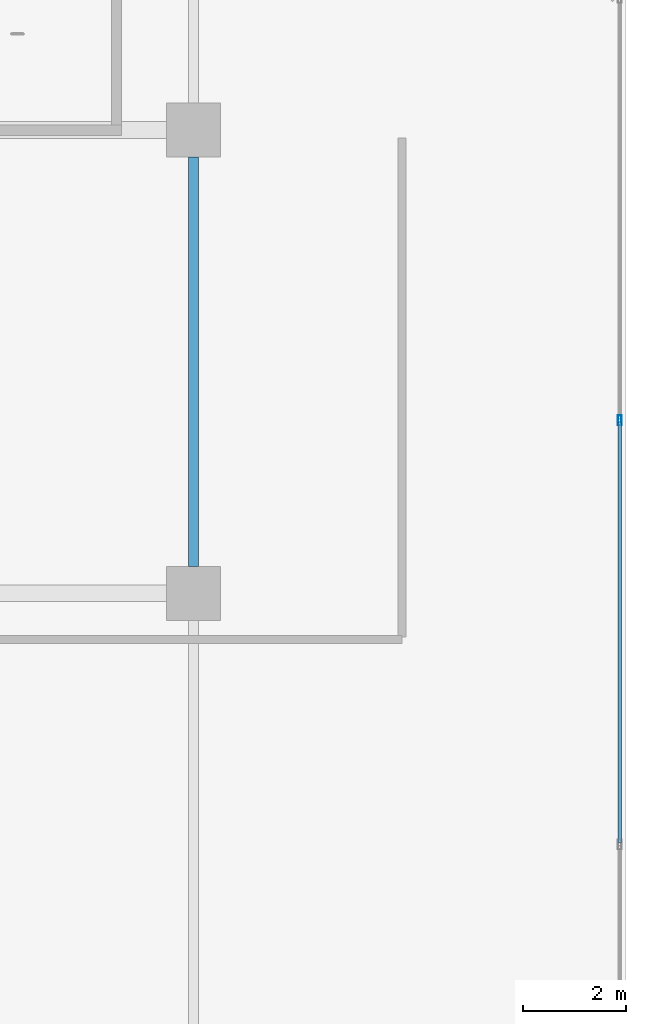
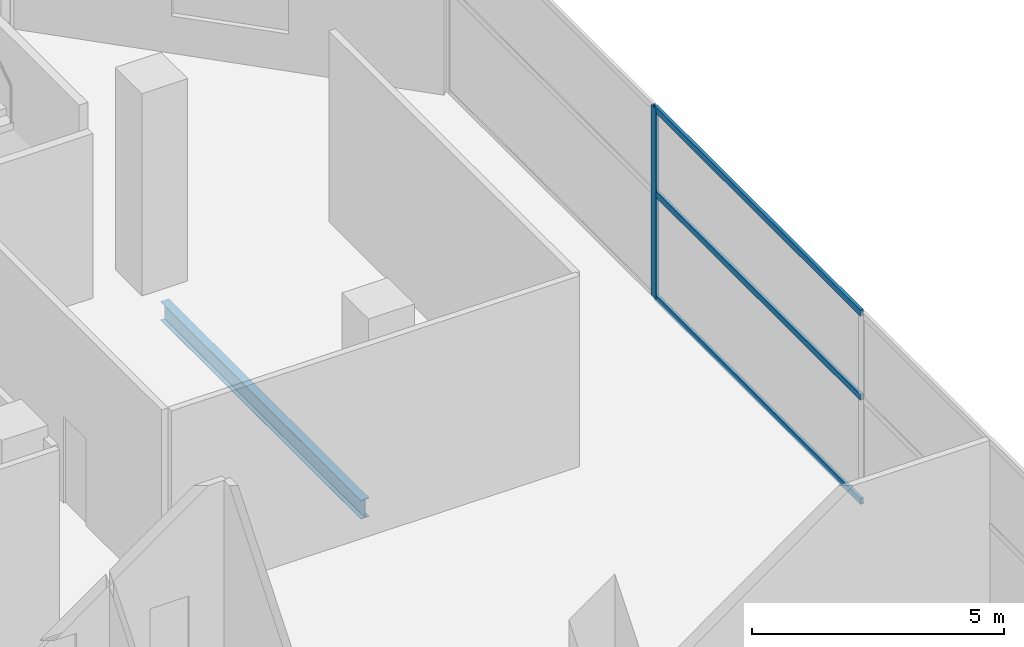
# One storey, part 28 of 39: 4 members, 1 beam, 1 element without a shape of its own.
"""IFC4 building model written with IfcOpenShell, lengths in metres."""

from ifc_helpers import new_model, si_unit, direction, frame, origin, origin_2d, place, context, subcontext, project, spatial, hollow_rectangle, i_section, extrude, material, layer, layer_set, material_profile, profile_set, type_object, element, aggregate, save


model = new_model("IFC4")

# Units and contexts
model_context = context("Model", 3, precision=1e-05, world=origin(), true_north=direction((0.0, 1.0)))
body_context = subcontext(model_context, "Body", "Model", "MODEL_VIEW")
ifc_project = project(units=[si_unit("LENGTHUNIT", "METRE"), si_unit("AREAUNIT", "SQUARE_METRE"), si_unit("VOLUMEUNIT", "CUBIC_METRE"), si_unit("PLANEANGLEUNIT", "RADIAN"), si_unit("MASSUNIT", "GRAM", prefix="KILO")], contexts=[model_context])

# Site, building, storey
site_placement = place(None, origin())
site = spatial("IfcSite", under=ifc_project, at=site_placement, CompositionType="ELEMENT")
building_placement = place(site_placement, origin())
building = spatial("IfcBuilding", under=site, at=building_placement, Name="Maruvema Waterfront Hotel and Observation Tower", CompositionType="ELEMENT")
storey_placement = place(building_placement, frame((0.0, 0.0, 16.449951171875)))
storey = spatial("IfcBuildingStorey", under=building, at=storey_placement, Name="L03", CompositionType="ELEMENT", Elevation=16.449951171875)

# Curtain wall, members
ifc_material_1 = material(Name="Anodised bronze aluminium and solar-control low-E IGU", Category="aluminium")
ifc_layer = layer(ifc_material_1, 0.159912109375, Name="Podium Waterfront Storefront Curtain Wall System CW-01")
ifc_layer_set = layer_set([ifc_layer], Name="Anodised bronze aluminium and solar-control low-E IGU")
curtain_wall_type = type_object("IfcCurtainWallType", Name="Podium Waterfront Storefront Curtain Wall System CW-01", PredefinedType="USERDEFINED", material=ifc_layer_set)
curtain_wall_placement = place(storey_placement, origin())
curtain_wall = element("IfcCurtainWall", 1, at=curtain_wall_placement, inside=storey, type_object=curtain_wall_type, Name="L03 Curtain Wall CW-L03-E", ObjectType="UNITISED CURTAIN WALL", PredefinedType="USERDEFINED")
ifc_material_2 = material(Name="Anodised architectural bronze aluminium", Category="aluminium")
ifc_material_profile_1 = material_profile(ifc_material_2, hollow_rectangle(XDim=0.070068359375, YDim=0.14990234375, WallThickness=0.00390625, at=origin_2d()), Name="ALU-T70x150")
ifc_profile_set_1 = profile_set([ifc_material_profile_1], Name="Anodised architectural bronze aluminium")
member_type_1 = type_object("IfcMemberType", Name="Curtain Wall Horizontal Transom ALU-T70x150", PredefinedType="USERDEFINED", material=ifc_profile_set_1)
member_1_placement = place(storey_placement, frame((75.47998046875, 31.14990234375, 0.030029296875), z_axis=(0.0, 1.0, 0.0), x_axis=(-1.0, 0.0, 0.0)))
member_1 = element("IfcMember", 2, at=member_1_placement, type_object=member_type_1, Name="CW-01 transom 4.1", ObjectType="TRANSOM", PredefinedType="USERDEFINED", context=body_context, shape_type="SweptSolid", body=[
    extrude(hollow_rectangle(XDim=0.070068359375, YDim=0.14990234375, WallThickness=0.00390625, at=origin_2d()), origin(), (0.0, 0.0, 1.0), 8.18017578125),
])
member_2_placement = place(storey_placement, frame((75.47998046875, 31.14990234375, 2.550048828125), z_axis=(0.0, 1.0, 0.0), x_axis=(-1.0, 0.0, 0.0)))
member_2 = element("IfcMember", 3, at=member_2_placement, type_object=member_type_1, Name="CW-01 transom 4.2", ObjectType="TRANSOM", PredefinedType="USERDEFINED", context=body_context, shape_type="SweptSolid", body=[
    extrude(hollow_rectangle(XDim=0.070068359375, YDim=0.14990234375, WallThickness=0.00390625, at=origin_2d()), origin(), (0.0, 0.0, 1.0), 8.18017578125),
])
member_3_placement = place(storey_placement, frame((75.47998046875, 31.14990234375, 4.590087890625), z_axis=(0.0, 1.0, 0.0), x_axis=(-1.0, 0.0, 0.0)))
member_3 = element("IfcMember", 4, at=member_3_placement, type_object=member_type_1, Name="CW-01 transom 4.3", ObjectType="TRANSOM", PredefinedType="USERDEFINED", context=body_context, shape_type="SweptSolid", body=[
    extrude(hollow_rectangle(XDim=0.070068359375, YDim=0.14990234375, WallThickness=0.00390625, at=origin_2d()), origin(), (0.0, 0.0, 1.0), 8.18017578125),
])

# Beam
ifc_material_3 = material(Name="Steel ASTM A572 Grade 50", Category="steel")
ifc_material_profile_2 = material_profile(ifc_material_3, i_section(OverallWidth=0.18994140625, OverallDepth=0.45703125, WebThickness=0.009033203125, FlangeThickness=0.014404296875, FilletRadius=0.014892578125, at=origin_2d()), Name="W460x74.0")
ifc_profile_set_2 = profile_set([ifc_material_profile_2], Name="Steel ASTM A572 Grade 50")
beam_type = type_object("IfcBeamType", Name="Perimeter Spandrel Beam W460x74.0", PredefinedType="SPANDREL", material=ifc_profile_set_2)
beam_placement = place(storey_placement, frame((67.199951171875, 36.52490234375, -0.508544921875), z_axis=(0.0, 1.0, 0.0), x_axis=(-1.0, 0.0, 0.0)))
element("IfcBeam", 5, at=beam_placement, inside=storey, type_object=beam_type, Name="L03 Floor Girder NS-33", PredefinedType="SPANDREL", context=body_context, shape_type="SweptSolid", body=[
    extrude(i_section(OverallWidth=0.18994140625, OverallDepth=0.45703125, WebThickness=0.009033203125, FlangeThickness=0.014404296875, FilletRadius=0.014892578125, at=origin_2d()), origin(), (0.0, 0.0, 1.0), 7.9501953125),
])

# Member
ifc_material_4 = material(Name="Anodised architectural bronze aluminium", Category="aluminium")
ifc_material_profile_3 = material_profile(ifc_material_4, hollow_rectangle(XDim=0.070068359375, YDim=0.18994140625, WallThickness=0.00390625, at=origin_2d()), Name="ALU-M70x190")
ifc_profile_set_3 = profile_set([ifc_material_profile_3], Name="Anodised architectural bronze aluminium")
member_type_2 = type_object("IfcMemberType", Name="Podium Storefront Heavy Mullion ALU-M70x190", PredefinedType="MULLION", material=ifc_profile_set_3)
member_4_placement = place(storey_placement, frame((75.47998046875, 39.360107421875, 0.0), z_axis=(0.0, 0.0, 1.0), x_axis=(-1.0, 0.0, 0.0)))
member_4 = element("IfcMember", 6, at=member_4_placement, type_object=member_type_2, Name="CW-01 mullion 5", PredefinedType="MULLION", context=body_context, shape_type="SweptSolid", body=[
    extrude(hollow_rectangle(XDim=0.070068359375, YDim=0.18994140625, WallThickness=0.00390625, at=origin_2d()), origin(), (0.0, 0.0, 1.0), 4.6201171875),
])

aggregate(curtain_wall, [member_4, member_1, member_2, member_3])

save(model, "model.ifc")
